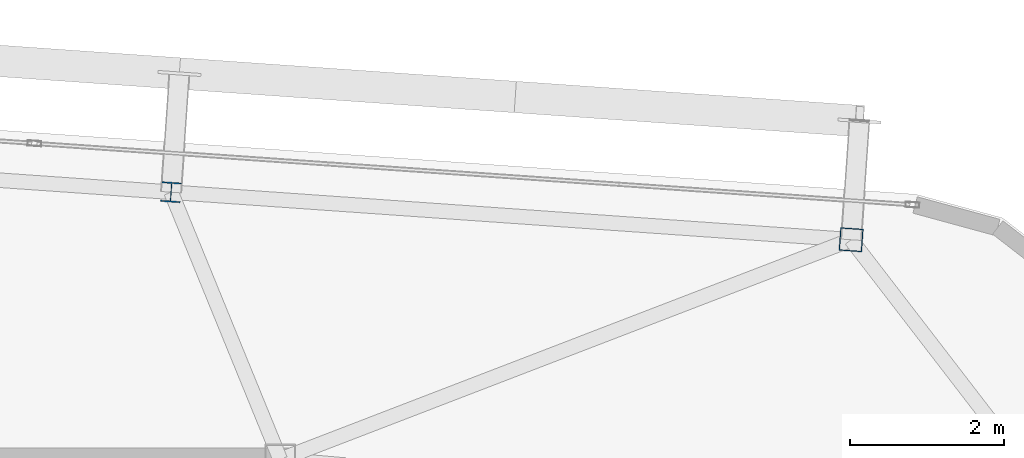
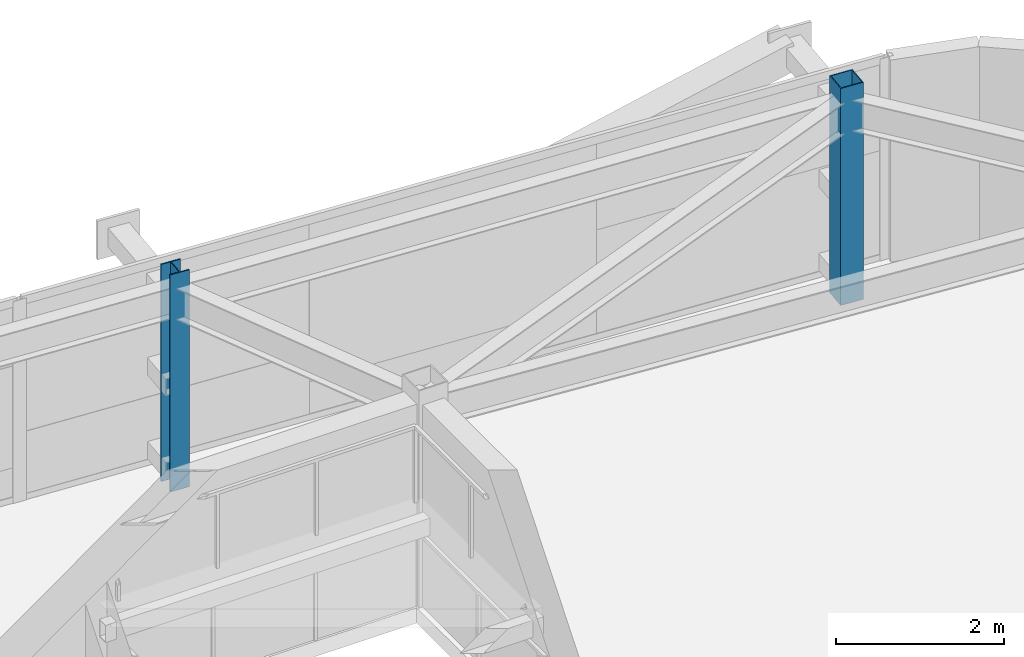
# One storey, part 5 of 39: 2 columns.
"""IFC4 building model written with IfcOpenShell, lengths in metres."""

from ifc_helpers import new_model, si_unit, direction, frame, origin, origin_2d, place, context, subcontext, project, spatial, hollow_rectangle, i_section, extrude, source, transform, mapped, material, material_profile, profile_set, type_object, element, save


model = new_model("IFC4")

# Units and contexts
model_context = context("Model", 3, precision=1e-05, world=origin(), true_north=direction((0.0, 1.0)))
body_context = subcontext(model_context, "Body", "Model", "MODEL_VIEW")
ifc_project = project(units=[si_unit("LENGTHUNIT", "METRE"), si_unit("AREAUNIT", "SQUARE_METRE"), si_unit("VOLUMEUNIT", "CUBIC_METRE"), si_unit("PLANEANGLEUNIT", "RADIAN"), si_unit("MASSUNIT", "GRAM", prefix="KILO")], contexts=[model_context])

# Site, building, storey
site_placement = place(None, origin())
site = spatial("IfcSite", under=ifc_project, at=site_placement, CompositionType="ELEMENT")
building_placement = place(site_placement, origin())
building = spatial("IfcBuilding", under=site, at=building_placement, Name="Taldren Reach Tower", CompositionType="ELEMENT")
storey_placement = place(building_placement, frame((0.0, 0.0, 151.89990234375)))
storey = spatial("IfcBuildingStorey", under=building, at=storey_placement, Name="L46", CompositionType="ELEMENT", Elevation=151.89990234375)

# Columns
ifc_material_1 = material(Name="Steel Gr 450 (C450L0)", Category="steel")
ifc_material_profile_1 = material_profile(ifc_material_1, hollow_rectangle(XDim=0.300048828125, YDim=0.300048828125, WallThickness=0.012451171875, at=origin_2d()), Name="300x300x12.5SHS")
ifc_profile_set_1 = profile_set([ifc_material_profile_1], Name="Steel Gr 450 (C450L0)")
column_type_1 = type_object("IfcColumnType", Name="COL-SHS300", PredefinedType="COLUMN", material=ifc_profile_set_1)
shared_shape_1 = source(origin(), body_context, "Body", "SweptSolid", [
    extrude(hollow_rectangle(XDim=0.300048828125, YDim=0.300048828125, WallThickness=0.012451171875, at=origin_2d()), origin(), (0.0, 0.0, 1.0), 3.150146484375),
])
column_1_placement = place(storey_placement, frame((58.4365234375, 34.861572265625, 0.0), z_axis=(0.0, 0.0, 1.0), x_axis=(0.99756405026, -0.069756473744, 0.0)))
element("IfcColumn", 1, at=column_1_placement, inside=storey, type_object=column_type_1, Name="Block B3 perimeter column N6 L46", PredefinedType="COLUMN", context=body_context, shape_type="MappedRepresentation", body=[
    mapped(shared_shape_1, transform((0.0, 0.0, 0.0), scale=1.0)),
])
ifc_material_2 = material(Name="Steel Gr 350 (350PLUS)", Category="steel")
ifc_material_profile_2 = material_profile(ifc_material_2, i_section(OverallWidth=0.256103515625, OverallDepth=0.260009765625, WebThickness=0.010498046875, FlangeThickness=0.017333984375, at=origin_2d()), Name="250UC89.5")
ifc_profile_set_2 = profile_set([ifc_material_profile_2], Name="Steel Gr 350 (350PLUS)")
column_type_2 = type_object("IfcColumnType", Name="COL-UC250", PredefinedType="COLUMN", material=ifc_profile_set_2)
shared_shape_2 = source(origin(), body_context, "Body", "SweptSolid", [
    extrude(i_section(OverallWidth=0.256103515625, OverallDepth=0.260009765625, WebThickness=0.010498046875, FlangeThickness=0.017333984375, at=origin_2d()), origin(), (0.0, 0.0, 1.0), 3.150146484375),
])
column_2_placement = place(storey_placement, frame((49.578125, 35.48095703125, 0.0), z_axis=(0.0, 0.0, 1.0), x_axis=(0.99756405026, -0.069756473744, 0.0)))
element("IfcColumn", 2, at=column_2_placement, inside=storey, type_object=column_type_2, Name="Block B3 perimeter column N5 L46", PredefinedType="COLUMN", context=body_context, shape_type="MappedRepresentation", body=[
    mapped(shared_shape_2, transform((0.0, 0.0, 0.0), scale=1.0)),
])

save(model, "model.ifc")
